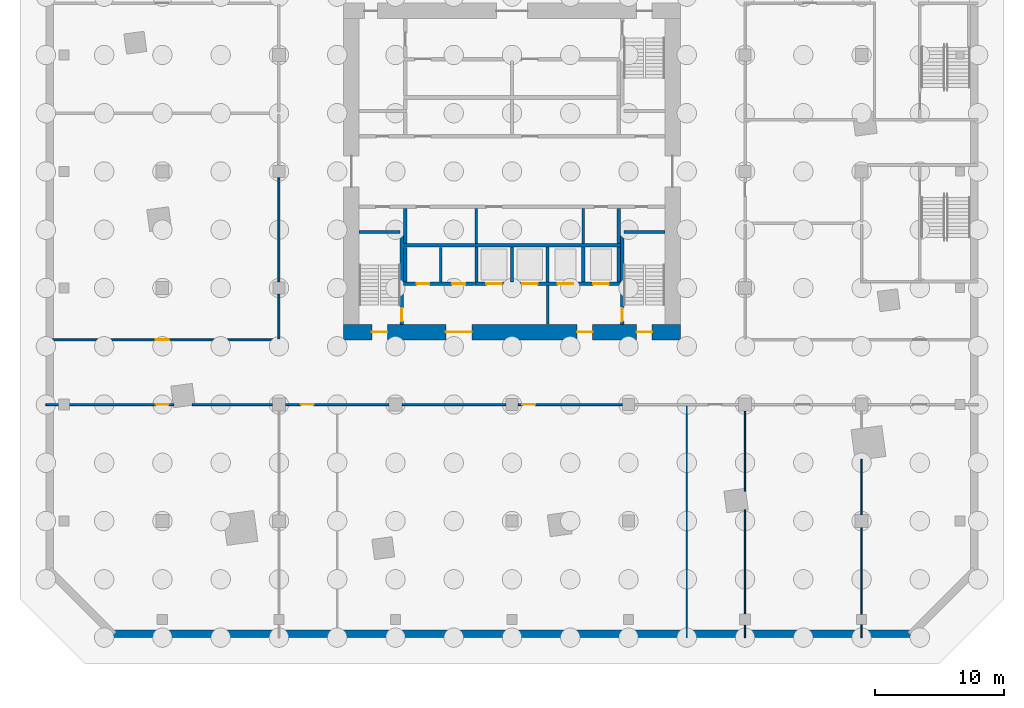
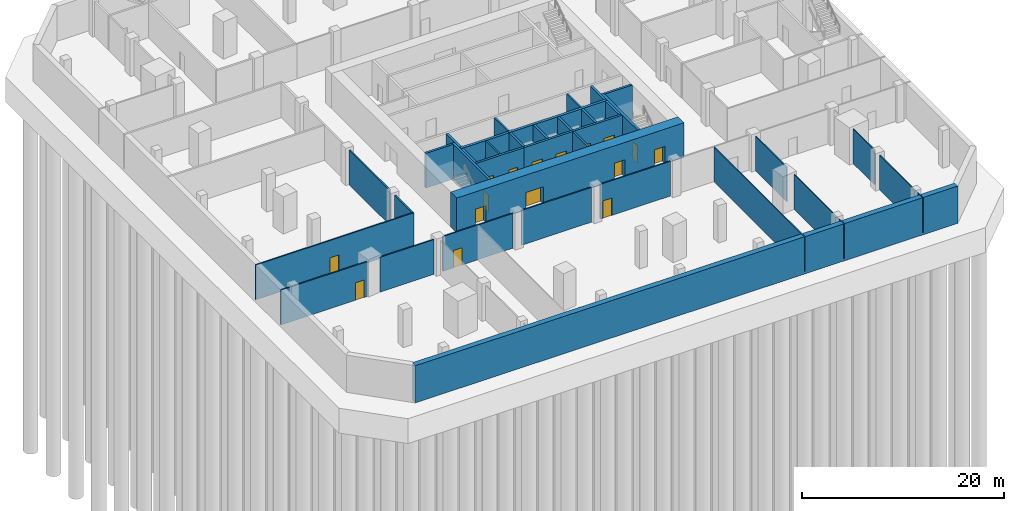
# One storey, part 3 of 12: 35 walls, 16 doors, 16 openings.
"""IFC4 building model written with IfcOpenShell, lengths in metres."""

from ifc_helpers import new_model, si_unit, direction, frame, frame_2d, origin, place, context, subcontext, project, spatial, rectangle, extrude, material, layer, layer_set, type_object, element, fill, save


model = new_model("IFC4")

# Units and contexts
model_context = context("Model", 3, precision=1e-05, world=origin(), true_north=direction((0.0, 1.0)))
body_context = subcontext(model_context, "Body", "Model", "MODEL_VIEW")
ifc_project = project(units=[si_unit("LENGTHUNIT", "METRE"), si_unit("AREAUNIT", "SQUARE_METRE"), si_unit("VOLUMEUNIT", "CUBIC_METRE"), si_unit("PLANEANGLEUNIT", "RADIAN"), si_unit("MASSUNIT", "GRAM", prefix="KILO")], contexts=[model_context])

# Site, building, storey
site_placement = place(None, origin())
site = spatial("IfcSite", under=ifc_project, at=site_placement, CompositionType="ELEMENT")
building_placement = place(site_placement, origin())
building = spatial("IfcBuilding", under=site, at=building_placement, Name="Dilmun Exchange Tower", CompositionType="ELEMENT")
storey_placement = place(building_placement, frame((0.0, 0.0, -9.0)))
storey = spatial("IfcBuildingStorey", under=building, at=storey_placement, Name="B2", CompositionType="ELEMENT", Elevation=-9.0)

# Walls
ifc_material_1 = material(Name="Concrete C40/50", Category="concrete")
ifc_layer_1 = layer(ifc_material_1, 0.199951171875)
ifc_layer_set_1 = layer_set([ifc_layer_1], Name="Concrete C40/50")
wall_type_1 = type_object("IfcWallType", Name="Core partition wall 200", PredefinedType="PARTITIONING", material=ifc_layer_set_1)
wall_1_placement = place(storey_placement, frame((2.75, -11.794921875, 0.0), z_axis=(0.0, 0.0, 1.0), x_axis=(0.0, 1.0, 0.0)))
element("IfcWall", 1, at=wall_1_placement, inside=storey, type_object=wall_type_1, Name="B2 core partition wall 01", PredefinedType="PARTITIONING", context=body_context, shape_type="SweptSolid", body=[
    extrude(rectangle(XDim=2.989990234375, YDim=0.199951171875, at=frame_2d((1.4951171875, 0.0))), origin(), (0.0, 0.0, 1.0), 4.199951171875),
])
for number, where, z_axis, x_axis, name in (
    (2, (-5.5, -8.544921875, 0.0), (0.0, 0.0, 1.0), (0.0, 1.0, 0.0), "B2 core partition wall 04"),
    (3, (-2.75, -5.544921875, 0.0), (0.0, 0.0, 1.0), (0.0, 1.0, 0.0), "B2 core partition wall 07"),
    (4, (5.5, -5.544921875, 0.0), (0.0, 0.0, 1.0), (0.0, 1.0, 0.0), "B2 core partition wall 08"),
):
    element("IfcWall", number, at=place(storey_placement, frame(where, z_axis=z_axis, x_axis=x_axis)), inside=storey, type_object=wall_type_1, Name=name, PredefinedType="PARTITIONING", context=body_context, shape_type="SweptSolid", body=[
        extrude(rectangle(XDim=2.68994140625, YDim=0.199951171875, at=frame_2d((1.344970703125, 0.0))), origin(), (0.0, 0.0, 1.0), 4.199951171875),
    ])

# Wall, openings, doors
ifc_layer_2 = layer(ifc_material_1, 0.25)
ifc_layer_set_2 = layer_set([ifc_layer_2], Name="Concrete C40/50")
wall_type_2 = type_object("IfcWallType", Name="Core partition wall 250", PredefinedType="PARTITIONING", material=ifc_layer_set_2)
wall_2_placement = place(storey_placement, frame((-8.3701171875, -8.675048828125, 0.0), z_axis=(0.0, 0.0, 1.0), x_axis=(1.0, 0.0, 0.0)))
wall_2 = element("IfcWall", 5, at=wall_2_placement, inside=storey, type_object=wall_type_2, Name="B2 core partition wall 02", PredefinedType="PARTITIONING", context=body_context, shape_type="SweptSolid", body=[
    extrude(rectangle(XDim=5.490234375, YDim=0.25, at=frame_2d((2.7451171875, 0.0))), origin(), (0.0, 0.0, 1.0), 4.199951171875),
])
opening_1_placement = place(wall_2_placement, frame((0.9951171875, 0.0, 0.0)))
opening_1 = element("IfcOpeningElement", 6, at=opening_1_placement, cuts=wall_2, Name="Opening CD4", PredefinedType="OPENING", context=body_context, shape_type="SweptSolid", body=[
    extrude(rectangle(XDim=1.0, YDim=2.10009765625, at=frame_2d((0.5, 1.050048828125))), frame((0.0, 0.135009765625, 0.0), z_axis=(0.0, -1.0, 0.0), x_axis=(1.0, 0.0, 0.0)), (0.0, 0.0, 1.0), 0.27001953125),
])
opening_2_placement = place(wall_2_placement, frame((3.7451171875, 0.0, 0.0)))
opening_2 = element("IfcOpeningElement", 7, at=opening_2_placement, cuts=wall_2, Name="Opening CD4", PredefinedType="OPENING", context=body_context, shape_type="SweptSolid", body=[
    extrude(rectangle(XDim=1.0, YDim=2.10009765625, at=frame_2d((0.5, 1.050048828125))), frame((0.0, 0.135009765625, 0.0), z_axis=(0.0, -1.0, 0.0), x_axis=(1.0, 0.0, 0.0)), (0.0, 0.0, 1.0), 0.27001953125),
])
ifc_material_2 = material(Name="Fire-rated steel door set", Category="steel")
door_type_1 = type_object("IfcDoorType", Name="Core room door 1000x2100", OperationType="SINGLE_SWING_LEFT", PredefinedType="DOOR", material=ifc_material_2)
door_1_placement = place(opening_1_placement, origin())
door_1 = element("IfcDoor", 8, at=door_1_placement, inside=storey, type_object=door_type_1, Name="B2 door Male WC", OperationType="SINGLE_SWING_LEFT", OverallHeight=2.10009765625, OverallWidth=1.0, PredefinedType="DOOR", context=body_context, shape_type="SweptSolid", body=[
    extrude(rectangle(XDim=1.0, YDim=2.10009765625, at=frame_2d((0.5, 1.050048828125))), frame((0.0, 0.02490234375, 0.0), z_axis=(0.0, -1.0, 0.0), x_axis=(1.0, 0.0, 0.0)), (0.0, 0.0, 1.0), 0.050048828125),
])
fill(opening_1, door_1)
door_2_placement = place(opening_2_placement, origin())
door_2 = element("IfcDoor", 9, at=door_2_placement, inside=storey, type_object=door_type_1, Name="B2 door Female WC", OperationType="SINGLE_SWING_LEFT", OverallHeight=2.10009765625, OverallWidth=1.0, PredefinedType="DOOR", context=body_context, shape_type="SweptSolid", body=[
    extrude(rectangle(XDim=1.0, YDim=2.10009765625, at=frame_2d((0.5, 1.050048828125))), frame((0.0, 0.02490234375, 0.0), z_axis=(0.0, -1.0, 0.0), x_axis=(1.0, 0.0, 0.0)), (0.0, 0.0, 1.0), 0.050048828125),
])
fill(opening_2, door_2)

# Walls
for number, where, z_axis, x_axis, name in (
    (10, (-8.25, -8.544921875, 0.0), (0.0, 0.0, 1.0), (0.0, 1.0, 0.0), "B2 core partition wall 03"),
    (11, (-8.25, -5.544921875, 0.0), (0.0, 0.0, 1.0), (0.0, 1.0, 0.0), "B2 core partition wall 06"),
    (12, (8.25, -5.544921875, 0.0), (0.0, 0.0, 1.0), (0.0, 1.0, 0.0), "B2 core partition wall 09"),
):
    element("IfcWall", number, at=place(storey_placement, frame(where, z_axis=z_axis, x_axis=x_axis)), inside=storey, type_object=wall_type_2, Name=name, PredefinedType="PARTITIONING", context=body_context, shape_type="SweptSolid", body=[
        extrude(rectangle(XDim=2.68994140625, YDim=0.25, at=frame_2d((1.344970703125, 0.0))), origin(), (0.0, 0.0, 1.0), 4.199951171875),
    ])
ifc_layer_3 = layer(ifc_material_1, 0.300048828125)
ifc_layer_set_3 = layer_set([ifc_layer_3], Name="Concrete C40/50")
wall_type_3 = type_object("IfcWallType", Name="Core partition wall 300", PredefinedType="PARTITIONING", material=ifc_layer_set_3)
wall_3_placement = place(storey_placement, frame((-8.35009765625, -5.699951171875, 0.0), z_axis=(0.0, 0.0, 1.0), x_axis=(1.0, 0.0, 0.0)))
element("IfcWall", 13, at=wall_3_placement, inside=storey, type_object=wall_type_3, Name="B2 core partition wall 05", PredefinedType="PARTITIONING", context=body_context, shape_type="SweptSolid", body=[
    extrude(rectangle(XDim=5.47021484375, YDim=0.300048828125, at=frame_2d((2.735107421875, 0.0))), origin(), (0.0, 0.0, 1.0), 4.199951171875),
])

# Wall, openings, doors
ifc_material_3 = material(Name="Concrete C80/95", Category="concrete")
ifc_layer_4 = layer(ifc_material_3, 1.199951171875)
ifc_layer_set_4 = layer_set([ifc_layer_4], Name="Concrete C80/95")
wall_type_4 = type_object("IfcWallType", Name="Core shear wall 1200 Concrete C80/95", PredefinedType="SHEAR", material=ifc_layer_set_4)
wall_4_placement = place(storey_placement, frame((-13.0, -12.39990234375, 0.0), z_axis=(0.0, 0.0, 1.0), x_axis=(1.0, 0.0, 0.0)))
wall_4 = element("IfcWall", 14, at=wall_4_placement, inside=storey, type_object=wall_type_4, Name="B2 core shear wall S", PredefinedType="SHEAR", context=body_context, shape_type="SweptSolid", body=[
    extrude(rectangle(XDim=26.0, YDim=1.199951171875, at=frame_2d((13.0, 0.0))), origin(), (0.0, 0.0, 1.0), 4.199951171875),
])
opening_3_placement = place(wall_4_placement, frame((7.89990234375, 0.0, 0.0)))
opening_3 = element("IfcOpeningElement", 15, at=opening_3_placement, cuts=wall_4, Name="Opening CD2", PredefinedType="OPENING", context=body_context, shape_type="SweptSolid", body=[
    extrude(rectangle(XDim=2.0, YDim=2.10009765625, at=frame_2d((1.0, 1.050048828125))), frame((0.0, 0.60986328125, 0.0), z_axis=(0.0, -1.0, 0.0), x_axis=(1.0, 0.0, 0.0)), (0.0, 0.0, 1.0), 1.219970703125),
])
opening_4_placement = place(wall_4_placement, frame((18.02490234375, 0.0, 0.0)))
opening_4 = element("IfcOpeningElement", 16, at=opening_4_placement, cuts=wall_4, Name="Opening CD3", PredefinedType="OPENING", context=body_context, shape_type="SweptSolid", body=[
    extrude(rectangle(XDim=1.199951171875, YDim=2.10009765625, at=frame_2d((0.60009765625, 1.050048828125))), frame((0.0, 0.60986328125, 0.0), z_axis=(0.0, -1.0, 0.0), x_axis=(1.0, 0.0, 0.0)), (0.0, 0.0, 1.0), 1.219970703125),
])
opening_5_placement = place(wall_4_placement, frame((2.175048828125, 0.0, 0.0)))
opening_5 = element("IfcOpeningElement", 17, at=opening_5_placement, cuts=wall_4, Name="Opening CD3", PredefinedType="OPENING", context=body_context, shape_type="SweptSolid", body=[
    extrude(rectangle(XDim=1.199951171875, YDim=2.10009765625, at=frame_2d((0.60009765625, 1.050048828125))), frame((0.0, 0.60986328125, 0.0), z_axis=(0.0, -1.0, 0.0), x_axis=(1.0, 0.0, 0.0)), (0.0, 0.0, 1.0), 1.219970703125),
])
opening_6_placement = place(wall_4_placement, frame((22.625, 0.0, 0.0)))
opening_6 = element("IfcOpeningElement", 18, at=opening_6_placement, cuts=wall_4, Name="Opening CD3", PredefinedType="OPENING", context=body_context, shape_type="SweptSolid", body=[
    extrude(rectangle(XDim=1.199951171875, YDim=2.10009765625, at=frame_2d((0.60009765625, 1.050048828125))), frame((0.0, 0.60986328125, 0.0), z_axis=(0.0, -1.0, 0.0), x_axis=(1.0, 0.0, 0.0)), (0.0, 0.0, 1.0), 1.219970703125),
])
door_type_2 = type_object("IfcDoorType", Name="Core service door 2000x2100", OperationType="DOUBLE_DOOR_DOUBLE_SWING", PredefinedType="DOOR", material=ifc_material_2)
door_3_placement = place(opening_3_placement, origin())
door_3 = element("IfcDoor", 19, at=door_3_placement, inside=storey, type_object=door_type_2, Name="B2 door South service lobby", OperationType="SINGLE_SWING_LEFT", OverallHeight=2.10009765625, OverallWidth=2.0, PredefinedType="DOOR", context=body_context, shape_type="SweptSolid", body=[
    extrude(rectangle(XDim=2.0, YDim=2.10009765625, at=frame_2d((1.0, 1.050048828125))), frame((0.0, 0.02490234375, 0.0), z_axis=(0.0, -1.0, 0.0), x_axis=(1.0, 0.0, 0.0)), (0.0, 0.0, 1.0), 0.050048828125),
])
fill(opening_3, door_3)
door_type_3 = type_object("IfcDoorType", Name="Stair exit door 1200x2100", OperationType="SINGLE_SWING_LEFT", PredefinedType="DOOR", material=ifc_material_2)
door_4_placement = place(opening_4_placement, origin())
door_4 = element("IfcDoor", 20, at=door_4_placement, inside=storey, type_object=door_type_3, Name="B2 door Fire-fighting lobby", OperationType="SINGLE_SWING_LEFT", OverallHeight=2.10009765625, OverallWidth=1.199951171875, PredefinedType="DOOR", context=body_context, shape_type="SweptSolid", body=[
    extrude(rectangle(XDim=1.199951171875, YDim=2.10009765625, at=frame_2d((0.60009765625, 1.050048828125))), frame((0.0, 0.02490234375, 0.0), z_axis=(0.0, -1.0, 0.0), x_axis=(1.0, 0.0, 0.0)), (0.0, 0.0, 1.0), 0.050048828125),
])
fill(opening_4, door_4)
door_5_placement = place(opening_5_placement, origin())
door_5 = element("IfcDoor", 21, at=door_5_placement, inside=storey, type_object=door_type_3, Name="B2 door Stair ST2", OperationType="SINGLE_SWING_LEFT", OverallHeight=2.10009765625, OverallWidth=1.199951171875, PredefinedType="DOOR", context=body_context, shape_type="SweptSolid", body=[
    extrude(rectangle(XDim=1.199951171875, YDim=2.10009765625, at=frame_2d((0.60009765625, 1.050048828125))), frame((0.0, 0.02490234375, 0.0), z_axis=(0.0, -1.0, 0.0), x_axis=(1.0, 0.0, 0.0)), (0.0, 0.0, 1.0), 0.050048828125),
])
fill(opening_5, door_5)
door_6_placement = place(opening_6_placement, origin())
door_6 = element("IfcDoor", 22, at=door_6_placement, inside=storey, type_object=door_type_3, Name="B2 door Stair ST3", OperationType="SINGLE_SWING_LEFT", OverallHeight=2.10009765625, OverallWidth=1.199951171875, PredefinedType="DOOR", context=body_context, shape_type="SweptSolid", body=[
    extrude(rectangle(XDim=1.199951171875, YDim=2.10009765625, at=frame_2d((0.60009765625, 1.050048828125))), frame((0.0, 0.02490234375, 0.0), z_axis=(0.0, -1.0, 0.0), x_axis=(1.0, 0.0, 0.0)), (0.0, 0.0, 1.0), 0.050048828125),
])
fill(opening_6, door_6)

# Wall, opening, door
ifc_material_4 = material(Name="Fire partition EI 60 150 gypsum")
ifc_layer_5 = layer(ifc_material_4, 0.14990234375)
ifc_layer_set_5 = layer_set([ifc_layer_5], Name="Fire partition EI 60 150 gypsum")
wall_type_5 = type_object("IfcWallType", Name="Fire partition EI 60 150 gypsum", PredefinedType="PARTITIONING", material=ifc_layer_set_5)
wall_5_placement = place(storey_placement, frame((-36.0, -18.0, 0.0), z_axis=(0.0, 0.0, 1.0), x_axis=(1.0, 0.0, 0.0)))
wall_5 = element("IfcWall", 23, at=wall_5_placement, inside=storey, type_object=wall_type_5, Name="B2 partition", PredefinedType="PARTITIONING", context=body_context, shape_type="SweptSolid", body=[
    extrude(rectangle(XDim=9.856689453125, YDim=0.14990234375, at=frame_2d((4.92822265625, 0.0))), origin(), (0.0, 0.0, 1.0), 4.199951171875),
])
opening_7_placement = place(wall_5_placement, frame((8.5, 0.0, 0.0)))
opening_7 = element("IfcOpeningElement", 24, at=opening_7_placement, cuts=wall_5, Name="Opening B2-D010", PredefinedType="OPENING", context=body_context, shape_type="SweptSolid", body=[
    extrude(rectangle(XDim=1.0, YDim=2.10009765625, at=frame_2d((0.5, 1.050048828125))), frame((0.0, 0.0849609375, 0.0), z_axis=(0.0, -1.0, 0.0), x_axis=(1.0, 0.0, 0.0)), (0.0, 0.0, 1.0), 0.169921875),
])
ifc_material_5 = material(Name="Fire door FD60 1000 x 2100")
door_type_4 = type_object("IfcDoorType", Name="Fire door FD60 1000 x 2100", OperationType="SINGLE_SWING_LEFT", PredefinedType="DOOR", material=ifc_material_5)
door_7_placement = place(opening_7_placement, origin())
door_7 = element("IfcDoor", 25, at=door_7_placement, inside=storey, type_object=door_type_4, Name="B2 door B2-D010", OperationType="SINGLE_SWING_RIGHT", OverallHeight=2.10009765625, OverallWidth=1.0, PredefinedType="DOOR", context=body_context, shape_type="SweptSolid", body=[
    extrude(rectangle(XDim=1.0, YDim=2.10009765625, at=frame_2d((0.5, 1.050048828125))), frame((0.0, 0.02490234375, 0.0), z_axis=(0.0, -1.0, 0.0), x_axis=(1.0, 0.0, 0.0)), (0.0, 0.0, 1.0), 0.050048828125),
])
fill(opening_7, door_7)

# Wall
wall_6_placement = place(storey_placement, frame((-24.680908203125, -18.0, 0.0), z_axis=(0.0, 0.0, 1.0), x_axis=(1.0, 0.0, 0.0)))
element("IfcWall", 26, at=wall_6_placement, inside=storey, type_object=wall_type_5, Name="B2 partition", PredefinedType="PARTITIONING", context=body_context, shape_type="SweptSolid", body=[
    extrude(rectangle(XDim=6.180908203125, YDim=0.14990234375, at=frame_2d((3.09033203125, 0.0))), origin(), (0.0, 0.0, 1.0), 4.199951171875),
])

# Wall, opening, door
wall_7_placement = place(storey_placement, frame((-17.5, -18.0, 0.0), z_axis=(0.0, 0.0, 1.0), x_axis=(1.0, 0.0, 0.0)))
wall_7 = element("IfcWall", 27, at=wall_7_placement, inside=storey, type_object=wall_type_5, Name="B2 partition", PredefinedType="PARTITIONING", context=body_context, shape_type="SweptSolid", body=[
    extrude(rectangle(XDim=8.0, YDim=0.14990234375, at=frame_2d((4.0, 0.0))), origin(), (0.0, 0.0, 1.0), 4.199951171875),
])
opening_8_placement = place(wall_7_placement, frame((1.199951171875, 0.0, 0.0)))
opening_8 = element("IfcOpeningElement", 28, at=opening_8_placement, cuts=wall_7, Name="Opening B2-D011", PredefinedType="OPENING", context=body_context, shape_type="SweptSolid", body=[
    extrude(rectangle(XDim=1.0, YDim=2.10009765625, at=frame_2d((0.5, 1.050048828125))), frame((0.0, 0.0849609375, 0.0), z_axis=(0.0, -1.0, 0.0), x_axis=(1.0, 0.0, 0.0)), (0.0, 0.0, 1.0), 0.169921875),
])
door_8_placement = place(opening_8_placement, origin())
door_8 = element("IfcDoor", 29, at=door_8_placement, inside=storey, type_object=door_type_4, Name="B2 door B2-D011", OperationType="SINGLE_SWING_LEFT", OverallHeight=2.10009765625, OverallWidth=1.0, PredefinedType="DOOR", context=body_context, shape_type="SweptSolid", body=[
    extrude(rectangle(XDim=1.0, YDim=2.10009765625, at=frame_2d((0.5, 1.050048828125))), frame((0.0, 0.02490234375, 0.0), z_axis=(0.0, -1.0, 0.0), x_axis=(1.0, 0.0, 0.0)), (0.0, 0.0, 1.0), 0.050048828125),
])
fill(opening_8, door_8)

# Wall
wall_8_placement = place(storey_placement, frame((-8.5, -18.0, 0.0), z_axis=(0.0, 0.0, 1.0), x_axis=(1.0, 0.0, 0.0)))
element("IfcWall", 30, at=wall_8_placement, inside=storey, type_object=wall_type_5, Name="B2 partition", PredefinedType="PARTITIONING", context=body_context, shape_type="SweptSolid", body=[
    extrude(rectangle(XDim=8.0, YDim=0.14990234375, at=frame_2d((4.0, 0.0))), origin(), (0.0, 0.0, 1.0), 4.199951171875),
])

# Wall, opening, door
wall_9_placement = place(storey_placement, frame((0.5, -18.0, 0.0), z_axis=(0.0, 0.0, 1.0), x_axis=(1.0, 0.0, 0.0)))
wall_9 = element("IfcWall", 31, at=wall_9_placement, inside=storey, type_object=wall_type_5, Name="B2 partition", PredefinedType="PARTITIONING", context=body_context, shape_type="SweptSolid", body=[
    extrude(rectangle(XDim=8.0, YDim=0.14990234375, at=frame_2d((4.0, 0.0))), origin(), (0.0, 0.0, 1.0), 4.199951171875),
])
opening_9_placement = place(wall_9_placement, frame((0.300048828125, 0.0, 0.0)))
opening_9 = element("IfcOpeningElement", 32, at=opening_9_placement, cuts=wall_9, Name="Opening B2-D012", PredefinedType="OPENING", context=body_context, shape_type="SweptSolid", body=[
    extrude(rectangle(XDim=1.0, YDim=2.10009765625, at=frame_2d((0.5, 1.050048828125))), frame((0.0, 0.0849609375, 0.0), z_axis=(0.0, -1.0, 0.0), x_axis=(1.0, 0.0, 0.0)), (0.0, 0.0, 1.0), 0.169921875),
])
door_9_placement = place(opening_9_placement, origin())
door_9 = element("IfcDoor", 33, at=door_9_placement, inside=storey, type_object=door_type_4, Name="B2 door B2-D012", OperationType="SINGLE_SWING_RIGHT", OverallHeight=2.10009765625, OverallWidth=1.0, PredefinedType="DOOR", context=body_context, shape_type="SweptSolid", body=[
    extrude(rectangle(XDim=1.0, YDim=2.10009765625, at=frame_2d((0.5, 1.050048828125))), frame((0.0, 0.02490234375, 0.0), z_axis=(0.0, -1.0, 0.0), x_axis=(1.0, 0.0, 0.0)), (0.0, 0.0, 1.0), 0.050048828125),
])
fill(opening_9, door_9)

wall_10_placement = place(storey_placement, frame((-36.0, -13.0, 0.0), z_axis=(0.0, 0.0, 1.0), x_axis=(1.0, 0.0, 0.0)))
wall_10 = element("IfcWall", 34, at=wall_10_placement, inside=storey, type_object=wall_type_5, Name="B2 partition", PredefinedType="PARTITIONING", context=body_context, shape_type="SweptSolid", body=[
    extrude(rectangle(XDim=18.074951171875, YDim=0.14990234375, at=frame_2d((9.03759765625, 0.0))), origin(), (0.0, 0.0, 1.0), 4.199951171875),
])
opening_10_placement = place(wall_10_placement, frame((8.5, 0.0, 0.0)))
opening_10 = element("IfcOpeningElement", 35, at=opening_10_placement, cuts=wall_10, Name="Opening B2-D016", PredefinedType="OPENING", context=body_context, shape_type="SweptSolid", body=[
    extrude(rectangle(XDim=1.0, YDim=2.10009765625, at=frame_2d((0.5, 1.050048828125))), frame((0.0, 0.0849609375, 0.0), z_axis=(0.0, -1.0, 0.0), x_axis=(1.0, 0.0, 0.0)), (0.0, 0.0, 1.0), 0.169921875),
])
door_10_placement = place(opening_10_placement, origin())
door_10 = element("IfcDoor", 36, at=door_10_placement, inside=storey, type_object=door_type_4, Name="B2 door B2-D016", OperationType="SINGLE_SWING_RIGHT", OverallHeight=2.10009765625, OverallWidth=1.0, PredefinedType="DOOR", context=body_context, shape_type="SweptSolid", body=[
    extrude(rectangle(XDim=1.0, YDim=2.10009765625, at=frame_2d((0.5, 1.050048828125))), frame((0.0, 0.02490234375, 0.0), z_axis=(0.0, -1.0, 0.0), x_axis=(1.0, 0.0, 0.0)), (0.0, 0.0, 1.0), 0.050048828125),
])
fill(opening_10, door_10)

# Walls
wall_11_placement = place(storey_placement, frame((-18.0, -12.925048828125, 0.0), z_axis=(0.0, 0.0, 1.0), x_axis=(0.0, 1.0, 0.0)))
element("IfcWall", 37, at=wall_11_placement, inside=storey, type_object=wall_type_5, Name="B2 partition", PredefinedType="PARTITIONING", context=body_context, shape_type="SweptSolid", body=[
    extrude(rectangle(XDim=3.425048828125, YDim=0.14990234375, at=frame_2d((1.71240234375, 0.0))), origin(), (0.0, 0.0, 1.0), 4.199951171875),
])
wall_12_placement = place(storey_placement, frame((-18.0, -8.5, 0.0), z_axis=(0.0, 0.0, 1.0), x_axis=(0.0, 1.0, 0.0)))
element("IfcWall", 38, at=wall_12_placement, inside=storey, type_object=wall_type_5, Name="B2 partition", PredefinedType="PARTITIONING", context=body_context, shape_type="SweptSolid", body=[
    extrude(rectangle(XDim=8.0, YDim=0.14990234375, at=frame_2d((4.0, 0.0))), origin(), (0.0, 0.0, 1.0), 4.199951171875),
])
ifc_layer_6 = layer(ifc_material_1, 0.300048828125)
ifc_layer_set_6 = layer_set([ifc_layer_6], Name="Concrete C40/50")
wall_type_6 = type_object("IfcWallType", Name="Lift shaft shared wall 300", PredefinedType="SOLIDWALL", material=ifc_layer_set_6)
wall_13_placement = place(storey_placement, frame((-2.875, -5.699951171875, 0.0), z_axis=(0.0, 0.0, 1.0), x_axis=(1.0, 0.0, 0.0)))
element("IfcWall", 39, at=wall_13_placement, inside=storey, type_object=wall_type_6, Name="B2 lift shaft rear wall S", PredefinedType="SOLIDWALL", context=body_context, shape_type="SweptSolid", body=[
    extrude(rectangle(XDim=11.25, YDim=0.300048828125, at=frame_2d((5.625, 0.0))), origin(), (0.0, 0.0, 1.0), 4.199951171875),
])

# Wall, openings, doors
ifc_layer_7 = layer(ifc_material_1, 0.25)
ifc_layer_set_7 = layer_set([ifc_layer_7], Name="Concrete C40/50")
wall_type_7 = type_object("IfcWallType", Name="Lift shaft wall 250", PredefinedType="SOLIDWALL", material=ifc_layer_set_7)
wall_14_placement = place(storey_placement, frame((-2.875, -8.675048828125, 0.0), z_axis=(0.0, 0.0, 1.0), x_axis=(1.0, 0.0, 0.0)))
wall_14 = element("IfcWall", 40, at=wall_14_placement, inside=storey, type_object=wall_type_7, Name="B2 lift shaft front wall S2", PredefinedType="SOLIDWALL", context=body_context, shape_type="SweptSolid", body=[
    extrude(rectangle(XDim=11.25, YDim=0.25, at=frame_2d((5.625, 0.0))), origin(), (0.0, 0.0, 1.0), 4.199951171875),
])
opening_11_placement = place(wall_14_placement, frame((0.89990234375, 0.0, 0.0)))
opening_11 = element("IfcOpeningElement", 41, at=opening_11_placement, cuts=wall_14, Name="Opening LD", PredefinedType="OPENING", context=body_context, shape_type="SweptSolid", body=[
    extrude(rectangle(XDim=1.199951171875, YDim=2.10009765625, at=frame_2d((0.60009765625, 1.050048828125))), frame((0.0, 0.135009765625, 0.0), z_axis=(0.0, -1.0, 0.0), x_axis=(1.0, 0.0, 0.0)), (0.0, 0.0, 1.0), 0.27001953125),
])
opening_12_placement = place(wall_14_placement, frame((3.64990234375, 0.0, 0.0)))
opening_12 = element("IfcOpeningElement", 42, at=opening_12_placement, cuts=wall_14, Name="Opening LD", PredefinedType="OPENING", context=body_context, shape_type="SweptSolid", body=[
    extrude(rectangle(XDim=1.199951171875, YDim=2.10009765625, at=frame_2d((0.60009765625, 1.050048828125))), frame((0.0, 0.135009765625, 0.0), z_axis=(0.0, -1.0, 0.0), x_axis=(1.0, 0.0, 0.0)), (0.0, 0.0, 1.0), 0.27001953125),
])
opening_13_placement = place(wall_14_placement, frame((6.39990234375, 0.0, 0.0)))
opening_13 = element("IfcOpeningElement", 43, at=opening_13_placement, cuts=wall_14, Name="Opening LD", PredefinedType="OPENING", context=body_context, shape_type="SweptSolid", body=[
    extrude(rectangle(XDim=1.199951171875, YDim=2.10009765625, at=frame_2d((0.60009765625, 1.050048828125))), frame((0.0, 0.135009765625, 0.0), z_axis=(0.0, -1.0, 0.0), x_axis=(1.0, 0.0, 0.0)), (0.0, 0.0, 1.0), 0.27001953125),
])
opening_14_placement = place(wall_14_placement, frame((9.14990234375, 0.0, 0.0)))
opening_14 = element("IfcOpeningElement", 44, at=opening_14_placement, cuts=wall_14, Name="Opening LD", PredefinedType="OPENING", context=body_context, shape_type="SweptSolid", body=[
    extrude(rectangle(XDim=1.199951171875, YDim=2.10009765625, at=frame_2d((0.60009765625, 1.050048828125))), frame((0.0, 0.135009765625, 0.0), z_axis=(0.0, -1.0, 0.0), x_axis=(1.0, 0.0, 0.0)), (0.0, 0.0, 1.0), 0.27001953125),
])
door_type_5 = type_object("IfcDoorType", Name="Lift landing door 1200x2100", OperationType="DOUBLE_DOOR_SLIDING", PredefinedType="DOOR", material=ifc_material_2)
door_11_placement = place(opening_11_placement, origin())
door_11 = element("IfcDoor", 45, at=door_11_placement, inside=storey, type_object=door_type_5, Name="B2 landing door SV1", OperationType="DOUBLE_DOOR_SLIDING", OverallHeight=2.10009765625, OverallWidth=1.199951171875, PredefinedType="DOOR", context=body_context, shape_type="SweptSolid", body=[
    extrude(rectangle(XDim=1.199951171875, YDim=2.10009765625, at=frame_2d((0.60009765625, 1.050048828125))), frame((0.0, 0.02490234375, 0.0), z_axis=(0.0, -1.0, 0.0), x_axis=(1.0, 0.0, 0.0)), (0.0, 0.0, 1.0), 0.050048828125),
])
fill(opening_11, door_11)
door_12_placement = place(opening_12_placement, origin())
door_12 = element("IfcDoor", 46, at=door_12_placement, inside=storey, type_object=door_type_5, Name="B2 landing door SV2", OperationType="DOUBLE_DOOR_SLIDING", OverallHeight=2.10009765625, OverallWidth=1.199951171875, PredefinedType="DOOR", context=body_context, shape_type="SweptSolid", body=[
    extrude(rectangle(XDim=1.199951171875, YDim=2.10009765625, at=frame_2d((0.60009765625, 1.050048828125))), frame((0.0, 0.02490234375, 0.0), z_axis=(0.0, -1.0, 0.0), x_axis=(1.0, 0.0, 0.0)), (0.0, 0.0, 1.0), 0.050048828125),
])
fill(opening_12, door_12)
door_13_placement = place(opening_13_placement, origin())
door_13 = element("IfcDoor", 47, at=door_13_placement, inside=storey, type_object=door_type_5, Name="B2 landing door FF1", OperationType="DOUBLE_DOOR_SLIDING", OverallHeight=2.10009765625, OverallWidth=1.199951171875, PredefinedType="DOOR", context=body_context, shape_type="SweptSolid", body=[
    extrude(rectangle(XDim=1.199951171875, YDim=2.10009765625, at=frame_2d((0.60009765625, 1.050048828125))), frame((0.0, 0.02490234375, 0.0), z_axis=(0.0, -1.0, 0.0), x_axis=(1.0, 0.0, 0.0)), (0.0, 0.0, 1.0), 0.050048828125),
])
fill(opening_13, door_13)
door_14_placement = place(opening_14_placement, origin())
door_14 = element("IfcDoor", 48, at=door_14_placement, inside=storey, type_object=door_type_5, Name="B2 landing door FF2", OperationType="DOUBLE_DOOR_SLIDING", OverallHeight=2.10009765625, OverallWidth=1.199951171875, PredefinedType="DOOR", context=body_context, shape_type="SweptSolid", body=[
    extrude(rectangle(XDim=1.199951171875, YDim=2.10009765625, at=frame_2d((0.60009765625, 1.050048828125))), frame((0.0, 0.02490234375, 0.0), z_axis=(0.0, -1.0, 0.0), x_axis=(1.0, 0.0, 0.0)), (0.0, 0.0, 1.0), 0.050048828125),
])
fill(opening_14, door_14)

# Walls
for number, where, z_axis, x_axis, name in (
    (49, (-2.75, -8.550048828125, 0.0), (0.0, 0.0, 1.0), (0.0, 1.0, 0.0), "B2 lift shaft divider S22"),
    (50, (0.0, -8.550048828125, 0.0), (0.0, 0.0, 1.0), (0.0, 1.0, 0.0), "B2 lift shaft divider S23"),
    (51, (2.75, -8.550048828125, 0.0), (0.0, 0.0, 1.0), (0.0, 1.0, 0.0), "B2 lift shaft divider S24"),
    (52, (5.5, -8.550048828125, 0.0), (0.0, 0.0, 1.0), (0.0, 1.0, 0.0), "B2 lift shaft divider S25"),
    (53, (8.25, -8.550048828125, 0.0), (0.0, 0.0, 1.0), (0.0, 1.0, 0.0), "B2 lift shaft divider S26"),
):
    element("IfcWall", number, at=place(storey_placement, frame(where, z_axis=z_axis, x_axis=x_axis)), inside=storey, type_object=wall_type_7, Name=name, PredefinedType="SOLIDWALL", context=body_context, shape_type="SweptSolid", body=[
        extrude(rectangle(XDim=2.699951171875, YDim=0.25, at=frame_2d((1.35009765625, 0.0))), origin(), (0.0, 0.0, 1.0), 4.199951171875),
    ])
ifc_material_6 = material(Name="Partition 100 gypsum")
ifc_layer_8 = layer(ifc_material_6, 0.10009765625)
ifc_layer_set_8 = layer_set([ifc_layer_8], Name="Partition 100 gypsum")
wall_type_8 = type_object("IfcWallType", Name="Partition 100 gypsum", PredefinedType="PARTITIONING", material=ifc_layer_set_8)
wall_15_placement = place(storey_placement, frame((13.5, -36.0, 0.0), z_axis=(0.0, 0.0, 1.0), x_axis=(0.0, 1.0, 0.0)))
element("IfcWall", 54, at=wall_15_placement, inside=storey, type_object=wall_type_8, Name="B2 partition", PredefinedType="PARTITIONING", context=body_context, shape_type="SweptSolid", body=[
    extrude(rectangle(XDim=17.925048828125, YDim=0.10009765625, at=frame_2d((8.96240234375, 0.0))), origin(), (0.0, 0.0, 1.0), 4.199951171875),
])
wall_16_placement = place(storey_placement, frame((18.0, -36.0, 0.0), z_axis=(0.0, 0.0, 1.0), x_axis=(0.0, 1.0, 0.0)))
element("IfcWall", 55, at=wall_16_placement, inside=storey, type_object=wall_type_8, Name="B2 partition", PredefinedType="PARTITIONING", context=body_context, shape_type="SweptSolid", body=[
    extrude(rectangle(XDim=9.856689453125, YDim=0.10009765625, at=frame_2d((4.92822265625, 0.0))), origin(), (0.0, 0.0, 1.0), 4.199951171875),
])
wall_17_placement = place(storey_placement, frame((18.0, -24.680908203125, 0.0), z_axis=(0.0, 0.0, 1.0), x_axis=(0.0, 1.0, 0.0)))
element("IfcWall", 56, at=wall_17_placement, inside=storey, type_object=wall_type_8, Name="B2 partition", PredefinedType="PARTITIONING", context=body_context, shape_type="SweptSolid", body=[
    extrude(rectangle(XDim=6.180908203125, YDim=0.10009765625, at=frame_2d((3.09033203125, 0.0))), origin(), (0.0, 0.0, 1.0), 4.199951171875),
])
wall_18_placement = place(storey_placement, frame((27.0, -36.0, 0.0), z_axis=(0.0, 0.0, 1.0), x_axis=(0.0, 1.0, 0.0)))
element("IfcWall", 57, at=wall_18_placement, inside=storey, type_object=wall_type_8, Name="B2 partition", PredefinedType="PARTITIONING", context=body_context, shape_type="SweptSolid", body=[
    extrude(rectangle(XDim=8.5, YDim=0.10009765625, at=frame_2d((4.25, 0.0))), origin(), (0.0, 0.0, 1.0), 4.199951171875),
])
wall_19_placement = place(storey_placement, frame((27.0, -26.5, 0.0), z_axis=(0.0, 0.0, 1.0), x_axis=(0.0, 1.0, 0.0)))
element("IfcWall", 58, at=wall_19_placement, inside=storey, type_object=wall_type_8, Name="B2 partition", PredefinedType="PARTITIONING", context=body_context, shape_type="SweptSolid", body=[
    extrude(rectangle(XDim=4.28369140625, YDim=0.10009765625, at=frame_2d((2.141845703125, 0.0))), origin(), (0.0, 0.0, 1.0), 4.199951171875),
])
ifc_layer_9 = layer(ifc_material_1, 0.60009765625)
ifc_layer_set_9 = layer_set([ifc_layer_9], Name="Concrete C40/50")
wall_type_9 = type_object("IfcWallType", Name="RC basement wall 600", PredefinedType="SOLIDWALL", material=ifc_layer_set_9)
wall_20_placement = place(storey_placement, frame((-31.0, -35.699951171875, -0.300048828125), z_axis=(0.0, 0.0, 1.0), x_axis=(1.0, 0.0, 0.0)))
element("IfcWall", 59, at=wall_20_placement, inside=storey, type_object=wall_type_9, Name="Basement retaining wall", PredefinedType="SOLIDWALL", context=body_context, shape_type="SweptSolid", body=[
    extrude(rectangle(XDim=62.0, YDim=0.60009765625, at=frame_2d((31.0, 0.0))), origin(), (0.0, 0.0, 1.0), 4.5),
])
ifc_layer_10 = layer(ifc_material_1, 0.25)
ifc_layer_set_10 = layer_set([ifc_layer_10], Name="Concrete C40/50")
wall_type_10 = type_object("IfcWallType", Name="Stair end wall 250", PredefinedType="SOLIDWALL", material=ifc_layer_set_10)
for number, where, z_axis, x_axis, name in (
    (60, (-8.64990234375, -4.675048828125, 0.0), (0.0, 0.0, 1.0), (-1.0, 0.0, 0.0), "B2 ST2 far wall"),
    (61, (8.64990234375, -4.675048828125, 0.0), (0.0, 0.0, 1.0), (1.0, 0.0, 0.0), "B2 ST3 far wall"),
):
    element("IfcWall", number, at=place(storey_placement, frame(where, z_axis=z_axis, x_axis=x_axis)), inside=storey, type_object=wall_type_10, Name=name, PredefinedType="SOLIDWALL", context=body_context, shape_type="SweptSolid", body=[
        extrude(rectangle(XDim=3.150146484375, YDim=0.25, at=frame_2d((1.5751953125, 0.0))), origin(), (0.0, 0.0, 1.0), 4.199951171875),
    ])

# Wall, opening, door
ifc_layer_11 = layer(ifc_material_1, 0.27490234375)
ifc_layer_set_11 = layer_set([ifc_layer_11], Name="Concrete C40/50")
wall_type_11 = type_object("IfcWallType", Name="Stair wall 275", PredefinedType="SOLIDWALL", material=ifc_layer_set_11)
wall_21_placement = place(storey_placement, frame((-8.512451171875, -4.550048828125, 0.0), z_axis=(0.0, 0.0, 1.0), x_axis=(0.0, -1.0, 0.0)))
wall_21 = element("IfcWall", 62, at=wall_21_placement, inside=storey, type_object=wall_type_11, Name="B2 ST2 wall to lift block", PredefinedType="SOLIDWALL", context=body_context, shape_type="SweptSolid", body=[
    extrude(rectangle(XDim=7.25, YDim=0.27490234375, at=frame_2d((3.625, 0.0))), origin(), (0.0, 0.0, 1.0), 4.199951171875),
])
opening_15_placement = place(wall_21_placement, frame((6.0, 0.0, 0.0)))
opening_15 = element("IfcOpeningElement", 63, at=opening_15_placement, cuts=wall_21, Name="Opening CD4", PredefinedType="OPENING", context=body_context, shape_type="SweptSolid", body=[
    extrude(rectangle(XDim=1.0, YDim=2.10009765625, at=frame_2d((0.5, 1.050048828125))), frame((0.0, 0.1474609375, 0.0), z_axis=(0.0, -1.0, 0.0), x_axis=(1.0, 0.0, 0.0)), (0.0, 0.0, 1.0), 0.294921875),
])
door_15_placement = place(opening_15_placement, origin())
door_15 = element("IfcDoor", 64, at=door_15_placement, inside=storey, type_object=door_type_1, Name="B2 door ST2 from lobby", OperationType="SINGLE_SWING_LEFT", OverallHeight=2.10009765625, OverallWidth=1.0, PredefinedType="DOOR", context=body_context, shape_type="SweptSolid", body=[
    extrude(rectangle(XDim=1.0, YDim=2.10009765625, at=frame_2d((0.5, 1.050048828125))), frame((0.0, 0.02490234375, 0.0), z_axis=(0.0, -1.0, 0.0), x_axis=(1.0, 0.0, 0.0)), (0.0, 0.0, 1.0), 0.050048828125),
])
fill(opening_15, door_15)

wall_22_placement = place(storey_placement, frame((8.512451171875, -4.550048828125, 0.0), z_axis=(0.0, 0.0, 1.0), x_axis=(0.0, -1.0, 0.0)))
wall_22 = element("IfcWall", 65, at=wall_22_placement, inside=storey, type_object=wall_type_11, Name="B2 ST3 wall to lift block", PredefinedType="SOLIDWALL", context=body_context, shape_type="SweptSolid", body=[
    extrude(rectangle(XDim=7.25, YDim=0.27490234375, at=frame_2d((3.625, 0.0))), origin(), (0.0, 0.0, 1.0), 4.199951171875),
])
opening_16_placement = place(wall_22_placement, frame((6.0, 0.0, 0.0)))
opening_16 = element("IfcOpeningElement", 66, at=opening_16_placement, cuts=wall_22, Name="Opening CD4", PredefinedType="OPENING", context=body_context, shape_type="SweptSolid", body=[
    extrude(rectangle(XDim=1.0, YDim=2.10009765625, at=frame_2d((0.5, 1.050048828125))), frame((0.0, 0.1474609375, 0.0), z_axis=(0.0, -1.0, 0.0), x_axis=(1.0, 0.0, 0.0)), (0.0, 0.0, 1.0), 0.294921875),
])
door_16_placement = place(opening_16_placement, origin())
door_16 = element("IfcDoor", 67, at=door_16_placement, inside=storey, type_object=door_type_1, Name="B2 door ST3 from lobby", OperationType="SINGLE_SWING_LEFT", OverallHeight=2.10009765625, OverallWidth=1.0, PredefinedType="DOOR", context=body_context, shape_type="SweptSolid", body=[
    extrude(rectangle(XDim=1.0, YDim=2.10009765625, at=frame_2d((0.5, 1.050048828125))), frame((0.0, 0.02490234375, 0.0), z_axis=(0.0, -1.0, 0.0), x_axis=(1.0, 0.0, 0.0)), (0.0, 0.0, 1.0), 0.050048828125),
])
fill(opening_16, door_16)

save(model, "model.ifc")
